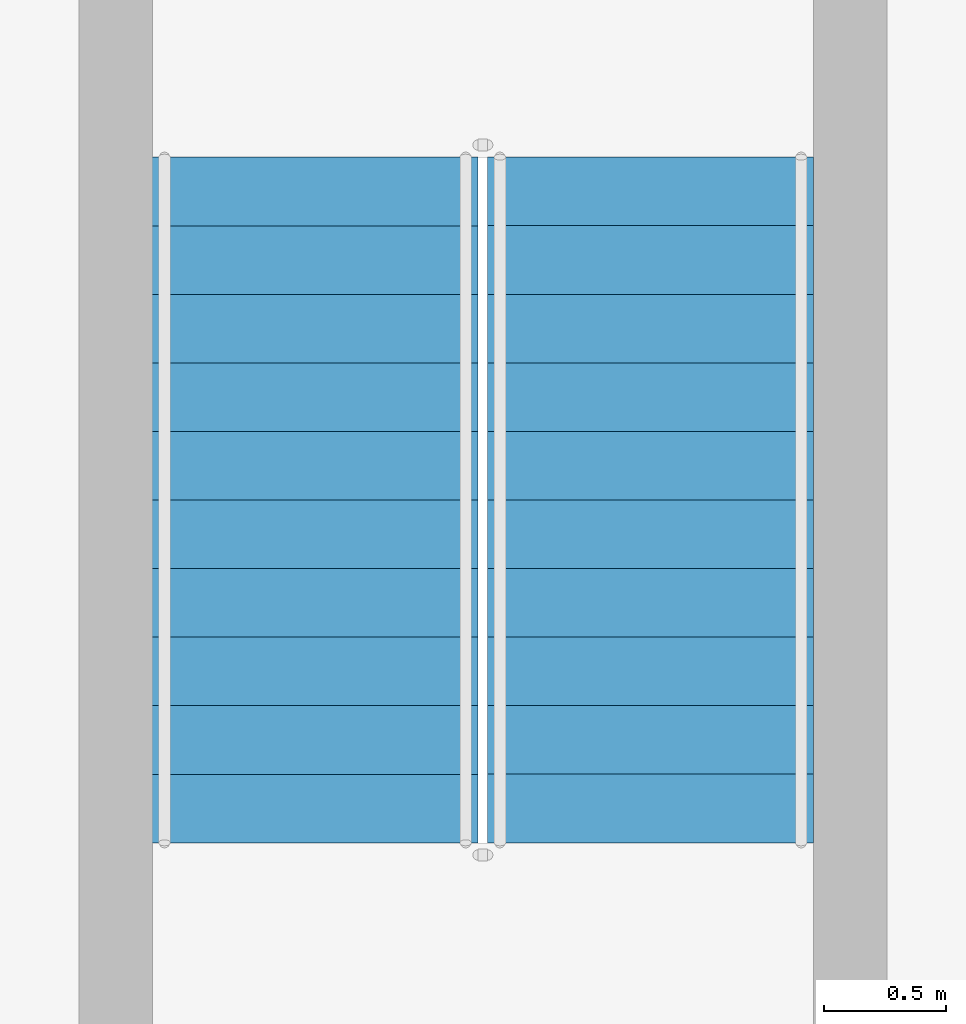
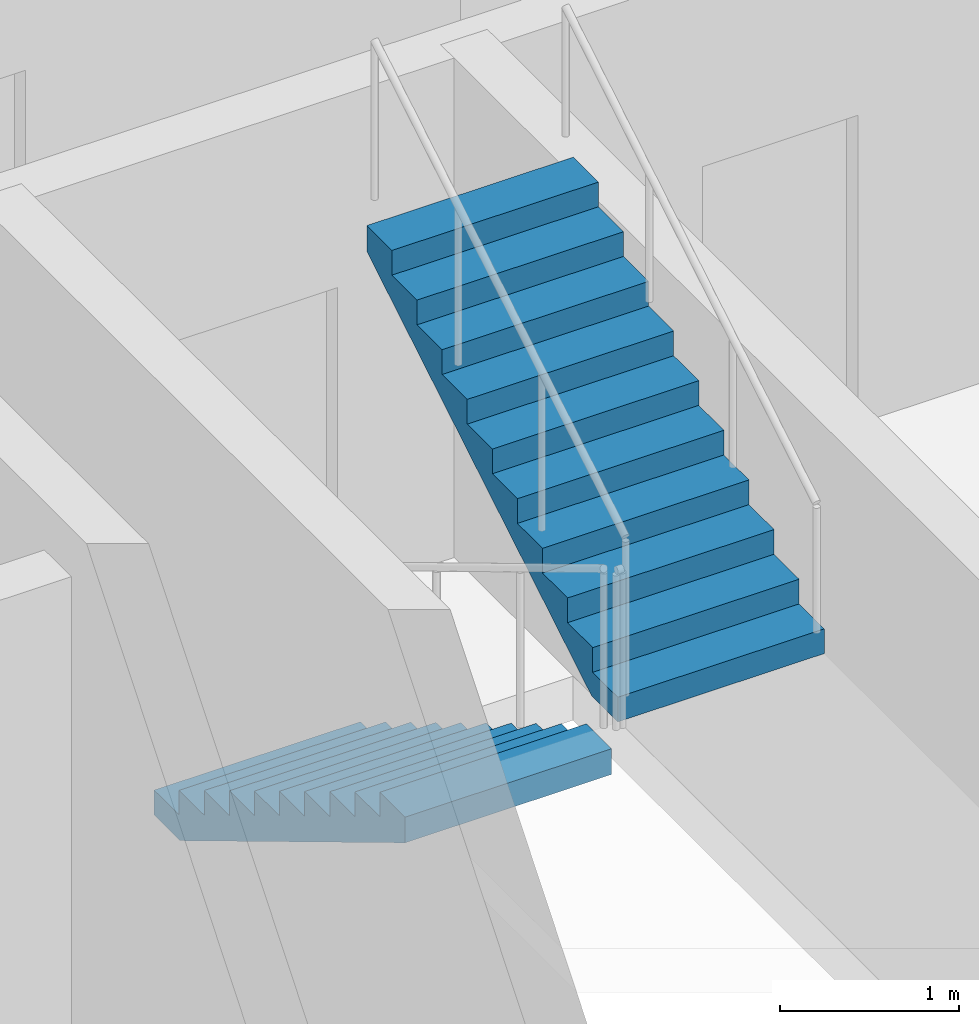
# One storey, part 16 of 23: 2 stair flights, 1 element without a shape of its own.
"""IFC4 building model written with IfcOpenShell, lengths in metres."""

from ifc_helpers import new_model, si_unit, direction, frame, origin, place, context, subcontext, project, spatial, triangles, source, transform, mapped, material, type_object, element, aggregate, save


model = new_model("IFC4")

# Units and contexts
model_context = context("Model", 3, precision=1e-05, world=origin(), true_north=direction((0.0, 1.0)))
body_context = subcontext(model_context, "Body", "Model", "MODEL_VIEW")
ifc_project = project(units=[si_unit("LENGTHUNIT", "METRE"), si_unit("AREAUNIT", "SQUARE_METRE"), si_unit("VOLUMEUNIT", "CUBIC_METRE"), si_unit("PLANEANGLEUNIT", "RADIAN"), si_unit("MASSUNIT", "GRAM", prefix="KILO")], contexts=[model_context])

# Site, building, storey
site_placement = place(None, origin())
site = spatial("IfcSite", under=ifc_project, at=site_placement, CompositionType="ELEMENT")
building_placement = place(site_placement, origin())
building = spatial("IfcBuilding", under=site, at=building_placement, Name="Ogive Portal Towers", CompositionType="ELEMENT")
storey_placement = place(building_placement, frame((0.0, 0.0, 120.39990234375)))
storey = spatial("IfcBuildingStorey", under=building, at=storey_placement, Name="L29", CompositionType="ELEMENT", Elevation=120.39990234375)

# Stair, stair flights
ifc_material = material(Name="Concrete C40/50", Category="concrete")
stair_type = type_object("IfcStairType", Name="INT-STAIR", PredefinedType="HALF_TURN_STAIR", material=ifc_material)
stair_placement = place(storey_placement, origin())
stair = element("IfcStair", 1, at=stair_placement, inside=storey, type_object=stair_type, Name="L29 Exit Stair ST-A4", PredefinedType="HALF_TURN_STAIR")
stair_flight_type = type_object("IfcStairFlightType", Name="INT-FLIGHT", PredefinedType="STRAIGHT", material=ifc_material)
shared_shape = source(origin(), body_context, "Body", "Tessellation", [
    triangles([(0.0, -0.6650390625, 0.0), (0.0, -0.384765625, 0.0), (0.0, -0.197021484375, 0.0), (0.0, -0.0830078125, 0.0), (0.0, -0.024658203125, 0.0), (0.0, -0.003173828125, 0.0), (0.0, 0.0, 0.0), (0.0, 0.003173828125, 0.0), (0.0, 0.024658203125, 0.0), (0.0, 0.0830078125, 0.0), (0.0, 0.197021484375, 0.0), (0.0, 0.384765625, 0.0), (0.0, 0.6650390625, 0.0), (0.0, -0.6650390625, 0.168212890625), (0.0, -0.384765625, 0.168212890625), (0.0, -0.197021484375, 0.168212890625), (0.0, -0.0830078125, 0.168212890625), (0.0, -0.024658203125, 0.168212890625), (0.0, -0.003173828125, 0.168212890625), (0.0, 0.0, 0.168212890625), (0.0, 0.003173828125, 0.168212890625), (0.0, 0.024658203125, 0.168212890625), (0.0, 0.0830078125, 0.168212890625), (0.0, 0.197021484375, 0.168212890625), (0.0, 0.384765625, 0.168212890625), (0.0, 0.6650390625, 0.168212890625), (0.280029296875, -0.6650390625, 0.168212890625), (0.280029296875, -0.384765625, 0.168212890625), (0.280029296875, -0.197021484375, 0.168212890625), (0.280029296875, -0.0830078125, 0.168212890625), (0.280029296875, -0.024658203125, 0.168212890625), (0.280029296875, -0.003173828125, 0.168212890625), (0.280029296875, 0.0, 0.168212890625), (0.280029296875, 0.003173828125, 0.168212890625), (0.280029296875, 0.024658203125, 0.168212890625), (0.280029296875, 0.0830078125, 0.168212890625), (0.280029296875, 0.197021484375, 0.168212890625), (0.280029296875, 0.384765625, 0.168212890625), (0.280029296875, 0.6650390625, 0.168212890625), (0.280029296875, -0.6650390625, 0.33642578125), (0.280029296875, -0.384765625, 0.33642578125), (0.280029296875, -0.197021484375, 0.33642578125), (0.280029296875, -0.0830078125, 0.33642578125), (0.280029296875, -0.024658203125, 0.33642578125), (0.280029296875, -0.003173828125, 0.33642578125), (0.280029296875, 0.0, 0.33642578125), (0.280029296875, 0.003173828125, 0.33642578125), (0.280029296875, 0.024658203125, 0.33642578125), (0.280029296875, 0.0830078125, 0.33642578125), (0.280029296875, 0.197021484375, 0.33642578125), (0.280029296875, 0.384765625, 0.33642578125), (0.280029296875, 0.6650390625, 0.33642578125), (0.56005859375, -0.6650390625, 0.33642578125), (0.56005859375, -0.384765625, 0.33642578125), (0.56005859375, -0.197021484375, 0.33642578125), (0.56005859375, -0.0830078125, 0.33642578125), (0.56005859375, -0.024658203125, 0.33642578125), (0.56005859375, -0.003173828125, 0.33642578125), (0.56005859375, 0.0, 0.33642578125), (0.56005859375, 0.003173828125, 0.33642578125), (0.56005859375, 0.024658203125, 0.33642578125), (0.56005859375, 0.0830078125, 0.33642578125), (0.56005859375, 0.197021484375, 0.33642578125), (0.56005859375, 0.384765625, 0.33642578125), (0.56005859375, 0.6650390625, 0.33642578125), (0.56005859375, -0.6650390625, 0.504638671875), (0.56005859375, -0.384765625, 0.504638671875), (0.56005859375, -0.197021484375, 0.504638671875), (0.56005859375, -0.0830078125, 0.504638671875), (0.56005859375, -0.024658203125, 0.504638671875), (0.56005859375, -0.003173828125, 0.504638671875), (0.56005859375, 0.0, 0.504638671875), (0.56005859375, 0.003173828125, 0.504638671875), (0.56005859375, 0.024658203125, 0.504638671875), (0.56005859375, 0.0830078125, 0.504638671875), (0.56005859375, 0.197021484375, 0.504638671875), (0.56005859375, 0.384765625, 0.504638671875), (0.56005859375, 0.6650390625, 0.504638671875), (0.840087890625, -0.6650390625, 0.504638671875), (0.840087890625, -0.384765625, 0.504638671875), (0.840087890625, -0.197021484375, 0.504638671875), (0.840087890625, -0.0830078125, 0.504638671875), (0.840087890625, -0.024658203125, 0.504638671875), (0.840087890625, -0.003173828125, 0.504638671875), (0.840087890625, 0.0, 0.504638671875), (0.840087890625, 0.003173828125, 0.504638671875), (0.840087890625, 0.024658203125, 0.504638671875), (0.840087890625, 0.0830078125, 0.504638671875), (0.840087890625, 0.197021484375, 0.504638671875), (0.840087890625, 0.384765625, 0.504638671875), (0.840087890625, 0.6650390625, 0.504638671875), (0.840087890625, -0.6650390625, 0.672607421875), (0.840087890625, -0.384765625, 0.672607421875), (0.840087890625, -0.197021484375, 0.672607421875), (0.840087890625, -0.0830078125, 0.672607421875), (0.840087890625, -0.024658203125, 0.672607421875), (0.840087890625, -0.003173828125, 0.672607421875), (0.840087890625, 0.0, 0.672607421875), (0.840087890625, 0.003173828125, 0.672607421875), (0.840087890625, 0.024658203125, 0.672607421875), (0.840087890625, 0.0830078125, 0.672607421875), (0.840087890625, 0.197021484375, 0.672607421875), (0.840087890625, 0.384765625, 0.672607421875), (0.840087890625, 0.6650390625, 0.672607421875), (1.1201171875, -0.6650390625, 0.672607421875), (1.1201171875, -0.384765625, 0.672607421875), (1.1201171875, -0.197021484375, 0.672607421875), (1.1201171875, -0.0830078125, 0.672607421875), (1.1201171875, -0.024658203125, 0.672607421875), (1.1201171875, -0.003173828125, 0.672607421875), (1.1201171875, 0.0, 0.672607421875), (1.1201171875, 0.003173828125, 0.672607421875), (1.1201171875, 0.024658203125, 0.672607421875), (1.1201171875, 0.0830078125, 0.672607421875), (1.1201171875, 0.197021484375, 0.672607421875), (1.1201171875, 0.384765625, 0.672607421875), (1.1201171875, 0.6650390625, 0.672607421875), (1.1201171875, -0.6650390625, 0.8408203125), (1.1201171875, -0.384765625, 0.8408203125), (1.1201171875, -0.197021484375, 0.8408203125), (1.1201171875, -0.0830078125, 0.8408203125), (1.1201171875, -0.024658203125, 0.8408203125), (1.1201171875, -0.003173828125, 0.8408203125), (1.1201171875, 0.0, 0.8408203125), (1.1201171875, 0.003173828125, 0.8408203125), (1.1201171875, 0.024658203125, 0.8408203125), (1.1201171875, 0.0830078125, 0.8408203125), (1.1201171875, 0.197021484375, 0.8408203125), (1.1201171875, 0.384765625, 0.8408203125), (1.1201171875, 0.6650390625, 0.8408203125), (1.39990234375, -0.6650390625, 0.8408203125), (1.39990234375, -0.384765625, 0.8408203125), (1.39990234375, -0.197021484375, 0.8408203125), (1.39990234375, -0.0830078125, 0.8408203125), (1.39990234375, -0.024658203125, 0.8408203125), (1.39990234375, -0.003173828125, 0.8408203125), (1.39990234375, 0.0, 0.8408203125), (1.39990234375, 0.003173828125, 0.8408203125), (1.39990234375, 0.024658203125, 0.8408203125), (1.39990234375, 0.0830078125, 0.8408203125), (1.39990234375, 0.197021484375, 0.8408203125), (1.39990234375, 0.384765625, 0.8408203125), (1.39990234375, 0.6650390625, 0.8408203125), (1.39990234375, -0.6650390625, 1.009033203125), (1.39990234375, -0.384765625, 1.009033203125), (1.39990234375, -0.197021484375, 1.009033203125), (1.39990234375, -0.0830078125, 1.009033203125), (1.39990234375, -0.024658203125, 1.009033203125), (1.39990234375, -0.003173828125, 1.009033203125), (1.39990234375, 0.0, 1.009033203125), (1.39990234375, 0.003173828125, 1.009033203125), (1.39990234375, 0.024658203125, 1.009033203125), (1.39990234375, 0.0830078125, 1.009033203125), (1.39990234375, 0.197021484375, 1.009033203125), (1.39990234375, 0.384765625, 1.009033203125), (1.39990234375, 0.6650390625, 1.009033203125), (1.679931640625, -0.6650390625, 1.009033203125), (1.679931640625, -0.384765625, 1.009033203125), (1.679931640625, -0.197021484375, 1.009033203125), (1.679931640625, -0.0830078125, 1.009033203125), (1.679931640625, -0.024658203125, 1.009033203125), (1.679931640625, -0.003173828125, 1.009033203125), (1.679931640625, 0.0, 1.009033203125), (1.679931640625, 0.003173828125, 1.009033203125), (1.679931640625, 0.024658203125, 1.009033203125), (1.679931640625, 0.0830078125, 1.009033203125), (1.679931640625, 0.197021484375, 1.009033203125), (1.679931640625, 0.384765625, 1.009033203125), (1.679931640625, 0.6650390625, 1.009033203125), (1.679931640625, -0.6650390625, 1.17724609375), (1.679931640625, -0.384765625, 1.17724609375), (1.679931640625, -0.197021484375, 1.17724609375), (1.679931640625, -0.0830078125, 1.17724609375), (1.679931640625, -0.024658203125, 1.17724609375), (1.679931640625, -0.003173828125, 1.17724609375), (1.679931640625, 0.0, 1.17724609375), (1.679931640625, 0.003173828125, 1.17724609375), (1.679931640625, 0.024658203125, 1.17724609375), (1.679931640625, 0.0830078125, 1.17724609375), (1.679931640625, 0.197021484375, 1.17724609375), (1.679931640625, 0.384765625, 1.17724609375), (1.679931640625, 0.6650390625, 1.17724609375), (1.9599609375, -0.6650390625, 1.17724609375), (1.9599609375, -0.384765625, 1.17724609375), (1.9599609375, -0.197021484375, 1.17724609375), (1.9599609375, -0.0830078125, 1.17724609375), (1.9599609375, -0.024658203125, 1.17724609375), (1.9599609375, -0.003173828125, 1.17724609375), (1.9599609375, 0.0, 1.17724609375), (1.9599609375, 0.003173828125, 1.17724609375), (1.9599609375, 0.024658203125, 1.17724609375), (1.9599609375, 0.0830078125, 1.17724609375), (1.9599609375, 0.197021484375, 1.17724609375), (1.9599609375, 0.384765625, 1.17724609375), (1.9599609375, 0.6650390625, 1.17724609375), (1.9599609375, -0.6650390625, 1.345458984375), (1.9599609375, -0.384765625, 1.345458984375), (1.9599609375, -0.197021484375, 1.345458984375), (1.9599609375, -0.0830078125, 1.345458984375), (1.9599609375, -0.024658203125, 1.345458984375), (1.9599609375, -0.003173828125, 1.345458984375), (1.9599609375, 0.0, 1.345458984375), (1.9599609375, 0.003173828125, 1.345458984375), (1.9599609375, 0.024658203125, 1.345458984375), (1.9599609375, 0.0830078125, 1.345458984375), (1.9599609375, 0.197021484375, 1.345458984375), (1.9599609375, 0.384765625, 1.345458984375), (1.9599609375, 0.6650390625, 1.345458984375), (2.239990234375, -0.6650390625, 1.345458984375), (2.239990234375, -0.384765625, 1.345458984375), (2.239990234375, -0.197021484375, 1.345458984375), (2.239990234375, -0.0830078125, 1.345458984375), (2.239990234375, -0.024658203125, 1.345458984375), (2.239990234375, -0.003173828125, 1.345458984375), (2.239990234375, 0.0, 1.345458984375), (2.239990234375, 0.003173828125, 1.345458984375), (2.239990234375, 0.024658203125, 1.345458984375), (2.239990234375, 0.0830078125, 1.345458984375), (2.239990234375, 0.197021484375, 1.345458984375), (2.239990234375, 0.384765625, 1.345458984375), (2.239990234375, 0.6650390625, 1.345458984375), (2.239990234375, -0.6650390625, 1.513671875), (2.239990234375, -0.384765625, 1.513671875), (2.239990234375, -0.197021484375, 1.513671875), (2.239990234375, -0.0830078125, 1.513671875), (2.239990234375, -0.024658203125, 1.513671875), (2.239990234375, -0.003173828125, 1.513671875), (2.239990234375, 0.0, 1.513671875), (2.239990234375, 0.003173828125, 1.513671875), (2.239990234375, 0.024658203125, 1.513671875), (2.239990234375, 0.0830078125, 1.513671875), (2.239990234375, 0.197021484375, 1.513671875), (2.239990234375, 0.384765625, 1.513671875), (2.239990234375, 0.6650390625, 1.513671875), (2.52001953125, -0.6650390625, 1.513671875), (2.52001953125, -0.384765625, 1.513671875), (2.52001953125, -0.197021484375, 1.513671875), (2.52001953125, -0.0830078125, 1.513671875), (2.52001953125, -0.024658203125, 1.513671875), (2.52001953125, -0.003173828125, 1.513671875), (2.52001953125, 0.0, 1.513671875), (2.52001953125, 0.003173828125, 1.513671875), (2.52001953125, 0.024658203125, 1.513671875), (2.52001953125, 0.0830078125, 1.513671875), (2.52001953125, 0.197021484375, 1.513671875), (2.52001953125, 0.384765625, 1.513671875), (2.52001953125, 0.6650390625, 1.513671875), (2.52001953125, -0.6650390625, 1.681884765625), (2.52001953125, -0.384765625, 1.681884765625), (2.52001953125, -0.197021484375, 1.681884765625), (2.52001953125, -0.0830078125, 1.681884765625), (2.52001953125, -0.024658203125, 1.681884765625), (2.52001953125, -0.003173828125, 1.681884765625), (2.52001953125, 0.0, 1.681884765625), (2.52001953125, 0.003173828125, 1.681884765625), (2.52001953125, 0.024658203125, 1.681884765625), (2.52001953125, 0.0830078125, 1.681884765625), (2.52001953125, 0.197021484375, 1.681884765625), (2.52001953125, 0.384765625, 1.681884765625), (2.52001953125, 0.6650390625, 1.681884765625), (2.800048828125, -0.6650390625, 1.681884765625), (2.800048828125, -0.384765625, 1.681884765625), (2.800048828125, -0.197021484375, 1.681884765625), (2.800048828125, -0.0830078125, 1.681884765625), (2.800048828125, -0.024658203125, 1.681884765625), (2.800048828125, -0.003173828125, 1.681884765625), (2.800048828125, 0.0, 1.681884765625), (2.800048828125, 0.003173828125, 1.681884765625), (2.800048828125, 0.024658203125, 1.681884765625), (2.800048828125, 0.0830078125, 1.681884765625), (2.800048828125, 0.197021484375, 1.681884765625), (2.800048828125, 0.384765625, 1.681884765625), (2.800048828125, 0.6650390625, 1.681884765625), (2.800048828125, -0.6650390625, 1.5068359375), (2.800048828125, -0.384765625, 1.5068359375), (2.800048828125, -0.197021484375, 1.5068359375), (2.800048828125, -0.0830078125, 1.5068359375), (2.800048828125, -0.024658203125, 1.5068359375), (2.800048828125, -0.003173828125, 1.5068359375), (2.800048828125, 0.0, 1.5068359375), (2.800048828125, 0.003173828125, 1.5068359375), (2.800048828125, 0.024658203125, 1.5068359375), (2.800048828125, 0.0830078125, 1.5068359375), (2.800048828125, 0.197021484375, 1.5068359375), (2.800048828125, 0.384765625, 1.5068359375), (2.800048828125, 0.6650390625, 1.5068359375), (0.291015625, -0.6650390625, 0.0), (0.291015625, -0.384765625, 0.0), (0.291015625, -0.197021484375, 0.0), (0.291015625, -0.0830078125, 0.0), (0.291015625, -0.024658203125, 0.0), (0.291015625, -0.003173828125, 0.0), (0.291015625, 0.0, 0.0), (0.291015625, 0.003173828125, 0.0), (0.291015625, 0.024658203125, 0.0), (0.291015625, 0.0830078125, 0.0), (0.291015625, 0.197021484375, 0.0), (0.291015625, 0.384765625, 0.0), (0.291015625, 0.6650390625, 0.0)], [[1, 14, 15], [1, 15, 2], [2, 15, 16], [2, 16, 3], [3, 16, 17], [3, 17, 4], [4, 17, 18], [4, 18, 5], [5, 18, 19], [5, 19, 6], [6, 19, 20], [6, 20, 7], [7, 20, 21], [7, 21, 8], [8, 21, 22], [8, 22, 9], [9, 22, 23], [9, 23, 10], [10, 23, 24], [10, 24, 11], [11, 24, 25], [11, 25, 12], [12, 25, 26], [12, 26, 13], [14, 27, 28], [14, 28, 15], [15, 28, 29], [15, 29, 16], [16, 29, 30], [16, 30, 17], [17, 30, 31], [17, 31, 18], [18, 31, 32], [18, 32, 19], [19, 32, 33], [19, 33, 20], [20, 33, 34], [20, 34, 21], [21, 34, 35], [21, 35, 22], [22, 35, 36], [22, 36, 23], [23, 36, 37], [23, 37, 24], [24, 37, 38], [24, 38, 25], [25, 38, 39], [25, 39, 26], [27, 40, 41], [27, 41, 28], [28, 41, 42], [28, 42, 29], [29, 42, 43], [29, 43, 30], [30, 43, 44], [30, 44, 31], [31, 44, 45], [31, 45, 32], [32, 45, 46], [32, 46, 33], [33, 46, 47], [33, 47, 34], [34, 47, 48], [34, 48, 35], [35, 48, 49], [35, 49, 36], [36, 49, 50], [36, 50, 37], [37, 50, 51], [37, 51, 38], [38, 51, 52], [38, 52, 39], [40, 53, 54], [40, 54, 41], [41, 54, 55], [41, 55, 42], [42, 55, 56], [42, 56, 43], [43, 56, 57], [43, 57, 44], [44, 57, 58], [44, 58, 45], [45, 58, 59], [45, 59, 46], [46, 59, 60], [46, 60, 47], [47, 60, 61], [47, 61, 48], [48, 61, 62], [48, 62, 49], [49, 62, 63], [49, 63, 50], [50, 63, 64], [50, 64, 51], [51, 64, 65], [51, 65, 52], [53, 66, 67], [53, 67, 54], [54, 67, 68], [54, 68, 55], [55, 68, 69], [55, 69, 56], [56, 69, 70], [56, 70, 57], [57, 70, 71], [57, 71, 58], [58, 71, 72], [58, 72, 59], [59, 72, 73], [59, 73, 60], [60, 73, 74], [60, 74, 61], [61, 74, 75], [61, 75, 62], [62, 75, 76], [62, 76, 63], [63, 76, 77], [63, 77, 64], [64, 77, 78], [64, 78, 65], [66, 79, 80], [66, 80, 67], [67, 80, 81], [67, 81, 68], [68, 81, 82], [68, 82, 69], [69, 82, 83], [69, 83, 70], [70, 83, 84], [70, 84, 71], [71, 84, 85], [71, 85, 72], [72, 85, 86], [72, 86, 73], [73, 86, 87], [73, 87, 74], [74, 87, 88], [74, 88, 75], [75, 88, 89], [75, 89, 76], [76, 89, 90], [76, 90, 77], [77, 90, 91], [77, 91, 78], [79, 92, 93], [79, 93, 80], [80, 93, 94], [80, 94, 81], [81, 94, 95], [81, 95, 82], [82, 95, 96], [82, 96, 83], [83, 96, 97], [83, 97, 84], [84, 97, 98], [84, 98, 85], [85, 98, 99], [85, 99, 86], [86, 99, 100], [86, 100, 87], [87, 100, 101], [87, 101, 88], [88, 101, 102], [88, 102, 89], [89, 102, 103], [89, 103, 90], [90, 103, 104], [90, 104, 91], [92, 105, 106], [92, 106, 93], [93, 106, 107], [93, 107, 94], [94, 107, 108], [94, 108, 95], [95, 108, 109], [95, 109, 96], [96, 109, 110], [96, 110, 97], [97, 110, 111], [97, 111, 98], [98, 111, 112], [98, 112, 99], [99, 112, 113], [99, 113, 100], [100, 113, 114], [100, 114, 101], [101, 114, 115], [101, 115, 102], [102, 115, 116], [102, 116, 103], [103, 116, 117], [103, 117, 104], [105, 118, 119], [105, 119, 106], [106, 119, 120], [106, 120, 107], [107, 120, 121], [107, 121, 108], [108, 121, 122], [108, 122, 109], [109, 122, 123], [109, 123, 110], [110, 123, 124], [110, 124, 111], [111, 124, 125], [111, 125, 112], [112, 125, 126], [112, 126, 113], [113, 126, 127], [113, 127, 114], [114, 127, 128], [114, 128, 115], [115, 128, 129], [115, 129, 116], [116, 129, 130], [116, 130, 117], [118, 131, 132], [118, 132, 119], [119, 132, 133], [119, 133, 120], [120, 133, 134], [120, 134, 121], [121, 134, 135], [121, 135, 122], [122, 135, 136], [122, 136, 123], [123, 136, 137], [123, 137, 124], [124, 137, 138], [124, 138, 125], [125, 138, 139], [125, 139, 126], [126, 139, 140], [126, 140, 127], [127, 140, 141], [127, 141, 128], [128, 141, 142], [128, 142, 129], [129, 142, 143], [129, 143, 130], [131, 144, 145], [131, 145, 132], [132, 145, 146], [132, 146, 133], [133, 146, 147], [133, 147, 134], [134, 147, 148], [134, 148, 135], [135, 148, 149], [135, 149, 136], [136, 149, 150], [136, 150, 137], [137, 150, 151], [137, 151, 138], [138, 151, 152], [138, 152, 139], [139, 152, 153], [139, 153, 140], [140, 153, 154], [140, 154, 141], [141, 154, 155], [141, 155, 142], [142, 155, 156], [142, 156, 143], [144, 157, 158], [144, 158, 145], [145, 158, 159], [145, 159, 146], [146, 159, 160], [146, 160, 147], [147, 160, 161], [147, 161, 148], [148, 161, 162], [148, 162, 149], [149, 162, 163], [149, 163, 150], [150, 163, 164], [150, 164, 151], [151, 164, 165], [151, 165, 152], [152, 165, 166], [152, 166, 153], [153, 166, 167], [153, 167, 154], [154, 167, 168], [154, 168, 155], [155, 168, 169], [155, 169, 156], [157, 170, 171], [157, 171, 158], [158, 171, 172], [158, 172, 159], [159, 172, 173], [159, 173, 160], [160, 173, 174], [160, 174, 161], [161, 174, 175], [161, 175, 162], [162, 175, 176], [162, 176, 163], [163, 176, 177], [163, 177, 164], [164, 177, 178], [164, 178, 165], [165, 178, 179], [165, 179, 166], [166, 179, 180], [166, 180, 167], [167, 180, 181], [167, 181, 168], [168, 181, 182], [168, 182, 169], [170, 183, 184], [170, 184, 171], [171, 184, 185], [171, 185, 172], [172, 185, 186], [172, 186, 173], [173, 186, 187], [173, 187, 174], [174, 187, 188], [174, 188, 175], [175, 188, 189], [175, 189, 176], [176, 189, 190], [176, 190, 177], [177, 190, 191], [177, 191, 178], [178, 191, 192], [178, 192, 179], [179, 192, 193], [179, 193, 180], [180, 193, 194], [180, 194, 181], [181, 194, 195], [181, 195, 182], [183, 196, 197], [183, 197, 184], [184, 197, 198], [184, 198, 185], [185, 198, 199], [185, 199, 186], [186, 199, 200], [186, 200, 187], [187, 200, 201], [187, 201, 188], [188, 201, 202], [188, 202, 189], [189, 202, 203], [189, 203, 190], [190, 203, 204], [190, 204, 191], [191, 204, 205], [191, 205, 192], [192, 205, 206], [192, 206, 193], [193, 206, 207], [193, 207, 194], [194, 207, 208], [194, 208, 195], [196, 209, 210], [196, 210, 197], [197, 210, 211], [197, 211, 198], [198, 211, 212], [198, 212, 199], [199, 212, 213], [199, 213, 200], [200, 213, 214], [200, 214, 201], [201, 214, 215], [201, 215, 202], [202, 215, 216], [202, 216, 203], [203, 216, 217], [203, 217, 204], [204, 217, 218], [204, 218, 205], [205, 218, 219], [205, 219, 206], [206, 219, 220], [206, 220, 207], [207, 220, 221], [207, 221, 208], [209, 222, 223], [209, 223, 210], [210, 223, 224], [210, 224, 211], [211, 224, 225], [211, 225, 212], [212, 225, 226], [212, 226, 213], [213, 226, 227], [213, 227, 214], [214, 227, 228], [214, 228, 215], [215, 228, 229], [215, 229, 216], [216, 229, 230], [216, 230, 217], [217, 230, 231], [217, 231, 218], [218, 231, 232], [218, 232, 219], [219, 232, 233], [219, 233, 220], [220, 233, 234], [220, 234, 221], [222, 235, 236], [222, 236, 223], [223, 236, 237], [223, 237, 224], [224, 237, 238], [224, 238, 225], [225, 238, 239], [225, 239, 226], [226, 239, 240], [226, 240, 227], [227, 240, 241], [227, 241, 228], [228, 241, 242], [228, 242, 229], [229, 242, 243], [229, 243, 230], [230, 243, 244], [230, 244, 231], [231, 244, 245], [231, 245, 232], [232, 245, 246], [232, 246, 233], [233, 246, 247], [233, 247, 234], [235, 248, 249], [235, 249, 236], [236, 249, 250], [236, 250, 237], [237, 250, 251], [237, 251, 238], [238, 251, 252], [238, 252, 239], [239, 252, 253], [239, 253, 240], [240, 253, 254], [240, 254, 241], [241, 254, 255], [241, 255, 242], [242, 255, 256], [242, 256, 243], [243, 256, 257], [243, 257, 244], [244, 257, 258], [244, 258, 245], [245, 258, 259], [245, 259, 246], [246, 259, 260], [246, 260, 247], [248, 261, 262], [248, 262, 249], [249, 262, 263], [249, 263, 250], [250, 263, 264], [250, 264, 251], [251, 264, 265], [251, 265, 252], [252, 265, 266], [252, 266, 253], [253, 266, 267], [253, 267, 254], [254, 267, 268], [254, 268, 255], [255, 268, 269], [255, 269, 256], [256, 269, 270], [256, 270, 257], [257, 270, 271], [257, 271, 258], [258, 271, 272], [258, 272, 259], [259, 272, 273], [259, 273, 260], [261, 274, 275], [261, 275, 262], [262, 275, 276], [262, 276, 263], [263, 276, 277], [263, 277, 264], [264, 277, 278], [264, 278, 265], [265, 278, 279], [265, 279, 266], [266, 279, 280], [266, 280, 267], [267, 280, 281], [267, 281, 268], [268, 281, 282], [268, 282, 269], [269, 282, 283], [269, 283, 270], [270, 283, 284], [270, 284, 271], [271, 284, 285], [271, 285, 272], [272, 285, 286], [272, 286, 273], [274, 287, 288], [274, 288, 275], [275, 288, 289], [275, 289, 276], [276, 289, 290], [276, 290, 277], [277, 290, 291], [277, 291, 278], [278, 291, 292], [278, 292, 279], [279, 292, 293], [279, 293, 280], [280, 293, 294], [280, 294, 281], [281, 294, 295], [281, 295, 282], [282, 295, 296], [282, 296, 283], [283, 296, 297], [283, 297, 284], [284, 297, 298], [284, 298, 285], [285, 298, 299], [285, 299, 286], [287, 1, 2], [287, 2, 288], [288, 2, 3], [288, 3, 289], [289, 3, 4], [289, 4, 290], [290, 4, 5], [290, 5, 291], [291, 5, 6], [291, 6, 292], [292, 6, 7], [292, 7, 293], [293, 7, 8], [293, 8, 294], [294, 8, 9], [294, 9, 295], [295, 9, 10], [295, 10, 296], [296, 10, 11], [296, 11, 297], [297, 11, 12], [297, 12, 298], [298, 12, 13], [298, 13, 299], [1, 287, 274], [13, 286, 299], [274, 261, 248], [286, 260, 273], [274, 248, 235], [286, 247, 260], [274, 235, 222], [286, 234, 247], [274, 222, 209], [286, 221, 234], [209, 196, 183], [221, 195, 208], [274, 209, 183], [286, 195, 221], [183, 170, 157], [195, 169, 182], [274, 183, 157], [286, 169, 195], [157, 144, 131], [169, 143, 156], [274, 157, 131], [286, 143, 169], [131, 118, 105], [143, 117, 130], [274, 131, 105], [286, 117, 143], [1, 274, 105], [13, 117, 286], [105, 92, 79], [117, 91, 104], [79, 66, 53], [91, 65, 78], [105, 79, 53], [117, 65, 91], [53, 40, 27], [65, 39, 52], [105, 53, 27], [117, 39, 65], [1, 105, 27], [13, 39, 117], [27, 14, 1], [39, 13, 26]], closed=True),
])
stair_flight_1_placement = place(storey_placement, frame((87.6650390625, 29.169921875, 0.0), z_axis=(0.0, 0.0, 1.0), x_axis=(0.0, -1.0, 0.0)))
stair_flight_1 = element("IfcStairFlight", 2, at=stair_flight_1_placement, type_object=stair_flight_type, Name="ST-A4 flight 1", NumberOfRisers=11, NumberOfTreads=10, PredefinedType="STRAIGHT", RiserHeight=0.168181818, TreadLength=0.28, context=body_context, shape_type="MappedRepresentation", body=[
    mapped(shared_shape, transform((0.0, 0.0, 0.0), scale=1.0)),
])
stair_flight_2_placement = place(storey_placement, frame((89.034912109375, 26.3701171875, 1.85009765625), z_axis=(0.0, 0.0, 1.0), x_axis=(0.0, 1.0, 0.0)))
stair_flight_2 = element("IfcStairFlight", 3, at=stair_flight_2_placement, type_object=stair_flight_type, Name="ST-A4 flight 2", NumberOfRisers=11, NumberOfTreads=10, PredefinedType="STRAIGHT", RiserHeight=0.168181818, TreadLength=0.28, context=body_context, shape_type="MappedRepresentation", body=[
    mapped(shared_shape, transform((0.0, 0.0, 0.0), scale=1.0)),
])
aggregate(stair, [stair_flight_1, stair_flight_2])

save(model, "model.ifc")
